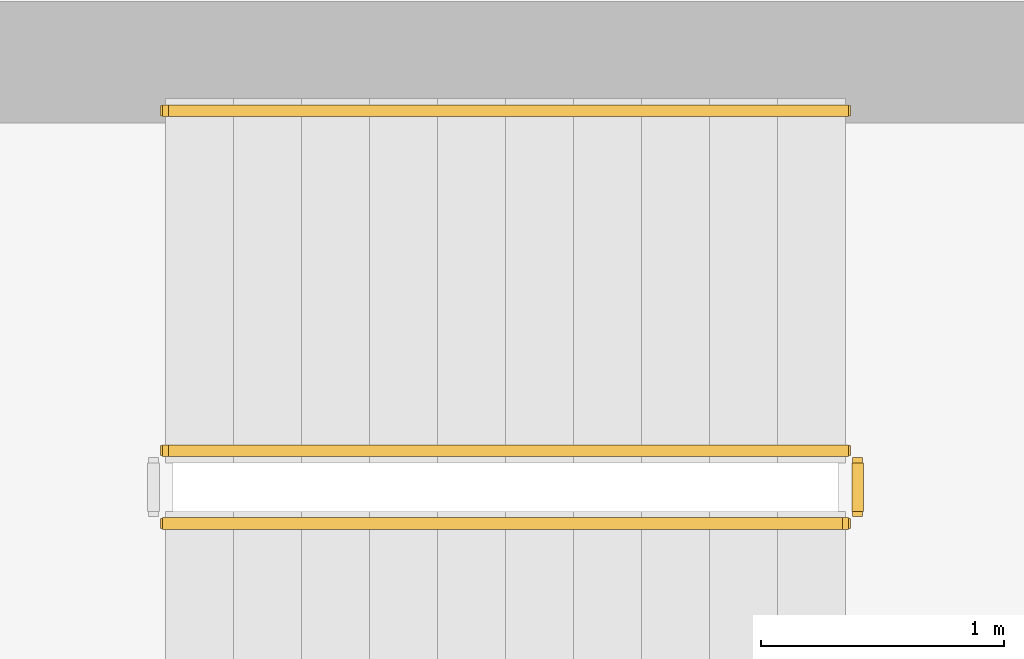
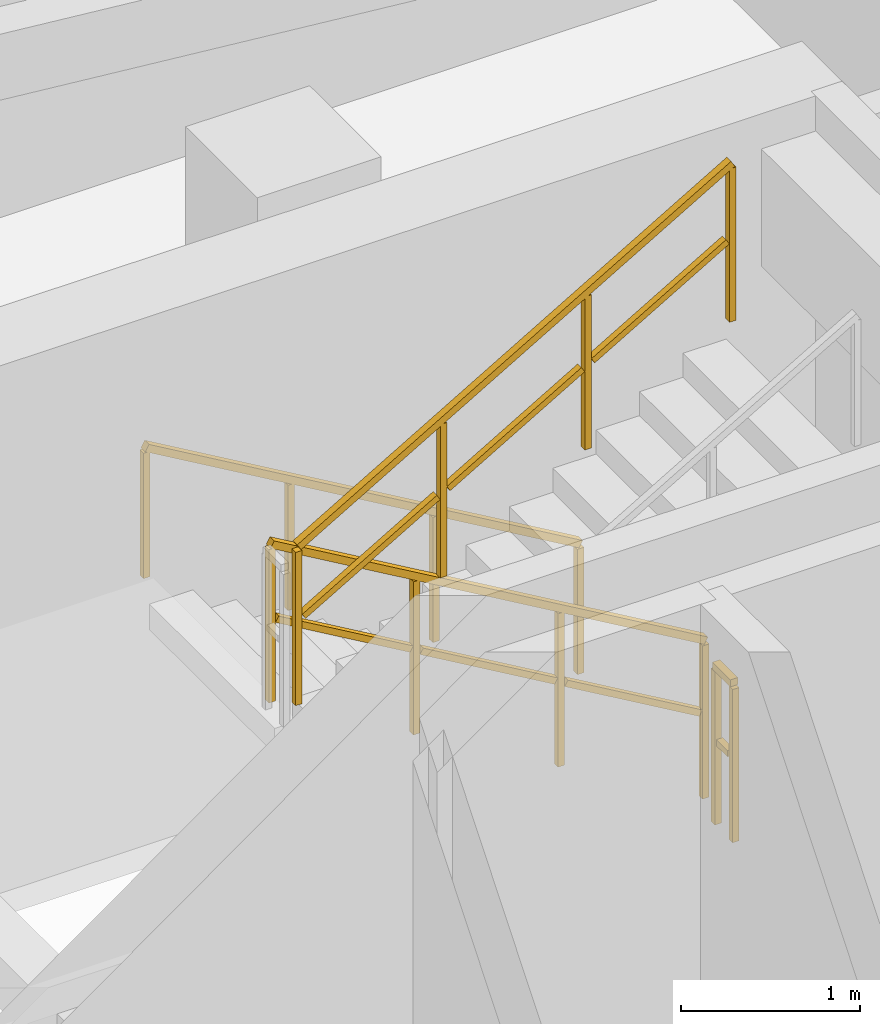
# One storey, part 33 of 35: 4 railings.
"""IFC4 building model written with IfcOpenShell, lengths in metres."""

from ifc_helpers import new_model, si_unit, direction, frame, origin, origin_2d, place, context, subcontext, project, spatial, rectangle, extrude, material, type_object, element, save


model = new_model("IFC4")

# Units and contexts
model_context = context("Model", 3, precision=1e-05, world=origin(), true_north=direction((0.0, 1.0)))
body_context = subcontext(model_context, "Body", "Model", "MODEL_VIEW")
ifc_project = project(units=[si_unit("LENGTHUNIT", "METRE"), si_unit("AREAUNIT", "SQUARE_METRE"), si_unit("VOLUMEUNIT", "CUBIC_METRE"), si_unit("PLANEANGLEUNIT", "RADIAN"), si_unit("MASSUNIT", "GRAM", prefix="KILO")], contexts=[model_context])

# Site, building, storey
site_placement = place(None, origin())
site = spatial("IfcSite", under=ifc_project, at=site_placement, CompositionType="ELEMENT")
building_placement = place(site_placement, origin())
building = spatial("IfcBuilding", under=site, at=building_placement, Name="Thornwick Lancets Civic Towers", CompositionType="ELEMENT")
storey_placement = place(building_placement, frame((0.0, 0.0, 269.10009765625)))
storey = spatial("IfcBuildingStorey", under=building, at=storey_placement, Name="L72", CompositionType="ELEMENT", Elevation=269.10009765625)

# Railings
ifc_material_1 = material(Name="Brushed stainless steel S355", Category="steel")
railing_type_1 = type_object("IfcRailingType", Name="RAIL_HANDRAIL", PredefinedType="HANDRAIL", material=ifc_material_1)
railing_1_placement = place(storey_placement, frame((31.60009765625, 38.949951171875, 0.16357421875)))
element("IfcRailing", 1, at=railing_1_placement, inside=storey, type_object=railing_type_1, Name="L72 ST-A2 stair handrail 1", PredefinedType="HANDRAIL", context=body_context, shape_type="SweptSolid", body=[
    extrude(rectangle(XDim=0.048095703125, YDim=0.048095703125, at=origin_2d()), frame((0.0, 0.0, 0.8857421875), z_axis=(-0.863393664356, 0.0, 0.504530851732), x_axis=(0.0, -1.0, 0.0)), (0.0, 0.0, 1.0), 3.2431640625),
    extrude(rectangle(XDim=0.0419921875, YDim=0.0419921875, at=origin_2d()), origin(), (0.0, 0.0, 1.0), 0.855712890625),
    extrude(rectangle(XDim=0.0419921875, YDim=0.0419921875, at=origin_2d()), frame((-0.933349609375, 0.0, 0.54541015625)), (0.0, 0.0, 1.0), 0.855712890625),
    extrude(rectangle(XDim=0.0419921875, YDim=0.0419921875, at=origin_2d()), frame((-1.86669921875, 0.0, 1.0908203125)), (0.0, 0.0, 1.0), 0.855712890625),
    extrude(rectangle(XDim=0.0419921875, YDim=0.0419921875, at=origin_2d()), frame((-2.800048828125, 0.0, 1.63623046875)), (0.0, 0.0, 1.0), 0.855712890625),
])
ifc_material_2 = material(Name="Steel S355JR", Category="steel")
railing_type_2 = type_object("IfcRailingType", Name="RAIL_STAIR_GUARD", PredefinedType="GUARDRAIL", material=ifc_material_2)
railing_2_placement = place(storey_placement, frame((31.60009765625, 37.550048828125, 0.16357421875)))
element("IfcRailing", 2, at=railing_2_placement, inside=storey, type_object=railing_type_2, Name="L72 ST-A2 stair guard 1", PredefinedType="GUARDRAIL", context=body_context, shape_type="SweptSolid", body=[
    extrude(rectangle(XDim=0.048095703125, YDim=0.048095703125, at=origin_2d()), frame((0.0, 0.0, 1.076171875), z_axis=(-0.863393664356, 0.0, 0.504530851732), x_axis=(0.0, -1.0, 0.0)), (0.0, 0.0, 1.0), 3.2431640625),
    extrude(rectangle(XDim=0.0419921875, YDim=0.0419921875, at=origin_2d()), frame((-0.032470703125, 0.0, 0.591064453125), z_axis=(-0.863393664356, 0.0, 0.504530851732), x_axis=(0.0, -1.0, 0.0)), (0.0, 0.0, 1.0), 1.006103515625),
    extrude(rectangle(XDim=0.0419921875, YDim=0.0419921875, at=origin_2d()), frame((-0.9658203125, 0.0, 1.136474609375), z_axis=(-0.863393664356, 0.0, 0.504530851732), x_axis=(0.0, -1.0, 0.0)), (0.0, 0.0, 1.0), 1.006103515625),
    extrude(rectangle(XDim=0.0419921875, YDim=0.0419921875, at=origin_2d()), frame((-1.899169921875, 0.0, 1.681884765625), z_axis=(-0.863393664356, 0.0, 0.504530851732), x_axis=(0.0, -1.0, 0.0)), (0.0, 0.0, 1.0), 1.006103515625),
    extrude(rectangle(XDim=0.0419921875, YDim=0.0419921875, at=origin_2d()), origin(), (0.0, 0.0, 1.0), 1.0458984375),
    extrude(rectangle(XDim=0.0419921875, YDim=0.0419921875, at=origin_2d()), frame((-0.933349609375, 0.0, 0.54541015625)), (0.0, 0.0, 1.0), 1.0458984375),
    extrude(rectangle(XDim=0.0419921875, YDim=0.0419921875, at=origin_2d()), frame((-1.86669921875, 0.0, 1.0908203125)), (0.0, 0.0, 1.0), 1.0458984375),
    extrude(rectangle(XDim=0.0419921875, YDim=0.0419921875, at=origin_2d()), frame((-2.800048828125, 0.0, 1.63623046875)), (0.0, 0.0, 1.0), 1.0458984375),
])
railing_3_placement = place(storey_placement, frame((28.800048828125, 37.25, 1.963623046875)))
element("IfcRailing", 3, at=railing_3_placement, inside=storey, type_object=railing_type_2, Name="L72 ST-A2 stair guard 3", PredefinedType="GUARDRAIL", context=body_context, shape_type="SweptSolid", body=[
    extrude(rectangle(XDim=0.048095703125, YDim=0.048095703125, at=origin_2d()), frame((0.0, 0.0, 1.076171875), z_axis=(0.863393664356, 0.0, 0.504530851732), x_axis=(0.0, 1.0, 0.0)), (0.0, 0.0, 1.0), 3.2431640625),
    extrude(rectangle(XDim=0.0419921875, YDim=0.0419921875, at=origin_2d()), frame((0.032470703125, 0.0, 0.591064453125), z_axis=(0.863393664356, 0.0, 0.504530851732), x_axis=(0.0, 1.0, 0.0)), (0.0, 0.0, 1.0), 1.006103515625),
    extrude(rectangle(XDim=0.0419921875, YDim=0.0419921875, at=origin_2d()), frame((0.9658203125, 0.0, 1.136474609375), z_axis=(0.863393664356, 0.0, 0.504530851732), x_axis=(0.0, 1.0, 0.0)), (0.0, 0.0, 1.0), 1.006103515625),
    extrude(rectangle(XDim=0.0419921875, YDim=0.0419921875, at=origin_2d()), frame((1.899169921875, 0.0, 1.681884765625), z_axis=(0.863393664356, 0.0, 0.504530851732), x_axis=(0.0, 1.0, 0.0)), (0.0, 0.0, 1.0), 1.006103515625),
    extrude(rectangle(XDim=0.0419921875, YDim=0.0419921875, at=origin_2d()), origin(), (0.0, 0.0, 1.0), 1.0458984375),
    extrude(rectangle(XDim=0.0419921875, YDim=0.0419921875, at=origin_2d()), frame((0.933349609375, 0.0, 0.54541015625)), (0.0, 0.0, 1.0), 1.0458984375),
    extrude(rectangle(XDim=0.0419921875, YDim=0.0419921875, at=origin_2d()), frame((1.86669921875, 0.0, 1.0908203125)), (0.0, 0.0, 1.0), 1.0458984375),
    extrude(rectangle(XDim=0.0419921875, YDim=0.0419921875, at=origin_2d()), frame((2.800048828125, 0.0, 1.63623046875)), (0.0, 0.0, 1.0), 1.0458984375),
])
railing_4_placement = place(storey_placement, frame((31.64990234375, 37.5, 0.0)))
element("IfcRailing", 4, at=railing_4_placement, inside=storey, type_object=railing_type_2, Name="L72 ST-A2 stair guard 4", PredefinedType="GUARDRAIL", context=body_context, shape_type="SweptSolid", body=[
    extrude(rectangle(XDim=0.048095703125, YDim=0.048095703125, at=origin_2d()), frame((0.0, 0.0, 1.076171875), z_axis=(0.0, -1.0, 0.0), x_axis=(1.0, 0.0, 0.0)), (0.0, 0.0, 1.0), 0.199951171875),
    extrude(rectangle(XDim=0.0419921875, YDim=0.0419921875, at=origin_2d()), frame((0.0, -0.03759765625, 0.572021484375), z_axis=(0.0, -1.0, 0.0), x_axis=(1.0, 0.0, 0.0)), (0.0, 0.0, 1.0), 0.125),
    extrude(rectangle(XDim=0.0419921875, YDim=0.0419921875, at=origin_2d()), origin(), (0.0, 0.0, 1.0), 1.0458984375),
    extrude(rectangle(XDim=0.0419921875, YDim=0.0419921875, at=origin_2d()), frame((0.0, -0.199951171875, 0.0)), (0.0, 0.0, 1.0), 1.0458984375),
])

save(model, "model.ifc")
